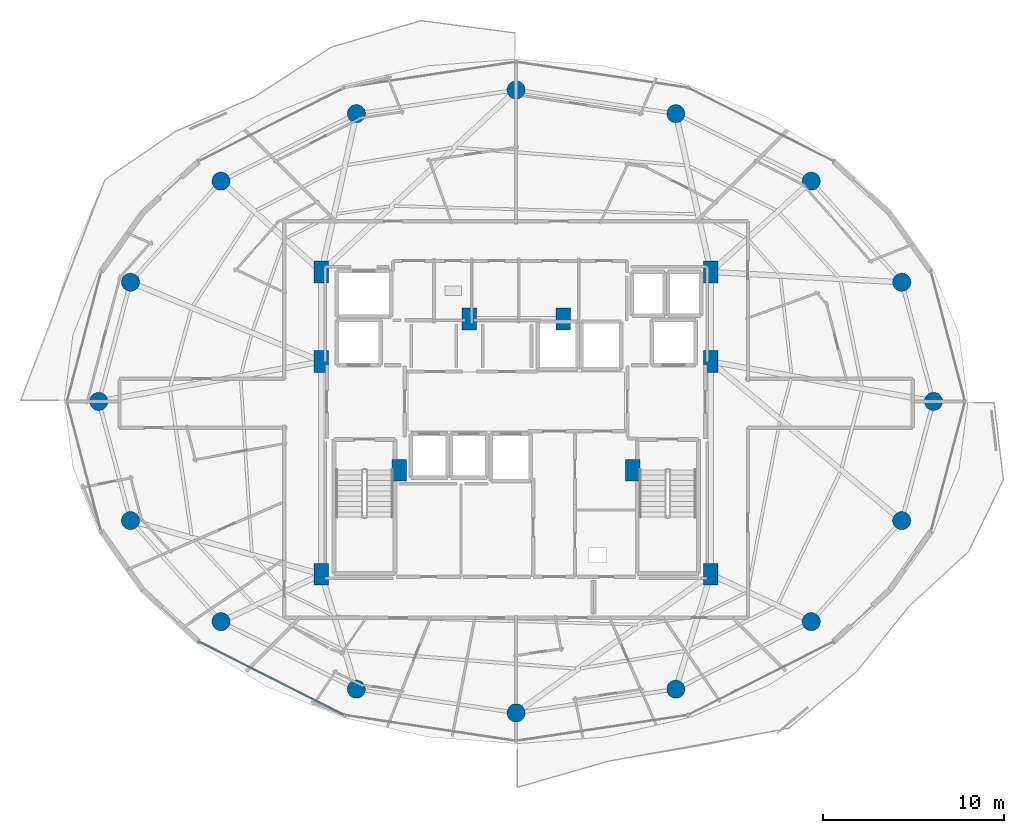
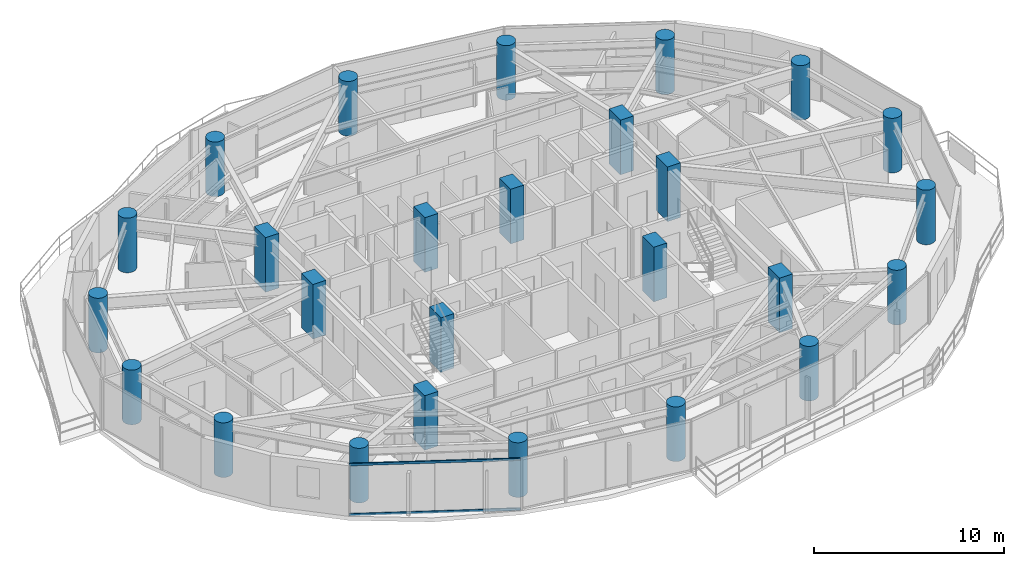
# One storey, part 1 of 31: 26 columns, 2 members, 1 element without a shape of its own.
"""IFC4 building model written with IfcOpenShell, lengths in metres."""

from ifc_helpers import new_model, si_unit, direction, frame, origin, origin_2d, place, context, subcontext, project, spatial, rectangle, hollow_rectangle, circle, extrude, material, material_profile, profile_set, type_object, element, aggregate, save


model = new_model("IFC4")

# Units and contexts
model_context = context("Model", 3, precision=1e-05, world=origin(), true_north=direction((0.0, 1.0)))
body_context = subcontext(model_context, "Body", "Model", "MODEL_VIEW")
ifc_project = project(units=[si_unit("LENGTHUNIT", "METRE"), si_unit("AREAUNIT", "SQUARE_METRE"), si_unit("VOLUMEUNIT", "CUBIC_METRE"), si_unit("PLANEANGLEUNIT", "RADIAN"), si_unit("MASSUNIT", "GRAM", prefix="KILO")], contexts=[model_context])

# Site, building, storey
site_placement = place(None, origin())
site = spatial("IfcSite", under=ifc_project, at=site_placement, CompositionType="ELEMENT")
building_placement = place(site_placement, origin())
building = spatial("IfcBuilding", under=site, at=building_placement, Name="Vorneva Point Tower", CompositionType="ELEMENT")
storey_placement = place(building_placement, frame((0.0, 0.0, 132.60009765625)))
storey = spatial("IfcBuildingStorey", under=building, at=storey_placement, Name="L35", CompositionType="ELEMENT", Elevation=132.60009765625)

# Columns
ifc_material_1 = material(Name="Concrete B60 (C50/60)", Category="concrete")
ifc_material_profile_1 = material_profile(ifc_material_1, circle(Radius=0.5, at=origin_2d()), Name="RC-CIRC 1000")
ifc_profile_set_1 = profile_set([ifc_material_profile_1], Name="Concrete B60 (C50/60)")
column_type_1 = type_object("IfcColumnType", Name="COL-RC1000C", PredefinedType="COLUMN", material=ifc_profile_set_1)
for number, where, z_axis, x_axis, name in (
    (1, (61.050048828125, 26.0, 0.0), (0.0, 0.0, 1.0), (1.0, 0.0, 0.0), "L35 Perimeter Column P01"),
    (2, (59.29541015625, 32.582275390625, 0.0), (0.0, 0.0, 1.0), (0.923879532511, 0.382683432365, 0.0), "L35 Perimeter Column P02"),
    (3, (54.298828125, 38.162109375, 0.0), (0.0, 0.0, 1.0), (0.707106781187, 0.707106781187, 0.0), "L35 Perimeter Column P03"),
    (4, (46.82080078125, 41.890625, 0.0), (0.0, 0.0, 1.0), (0.382683432365, 0.923879532511, 0.0), "L35 Perimeter Column P04"),
    (5, (38.0, 43.199951171875, 0.0), (0.0, 0.0, 1.0), (0.0, 1.0, 0.0), "L35 Perimeter Column P05"),
    (6, (29.17919921875, 41.890625, 0.0), (0.0, 0.0, 1.0), (-0.382683432365, 0.923879532511, 0.0), "L35 Perimeter Column P06"),
    (7, (21.701171875, 38.162109375, 0.0), (0.0, 0.0, 1.0), (-0.707106781187, 0.707106781187, 0.0), "L35 Perimeter Column P07"),
    (8, (16.70458984375, 32.582275390625, 0.0), (0.0, 0.0, 1.0), (-0.923879532511, 0.382683432365, 0.0), "L35 Perimeter Column P08"),
    (9, (14.949951171875, 26.0, 0.0), (0.0, 0.0, 1.0), (-1.0, 0.0, 0.0), "L35 Perimeter Column P09"),
    (10, (16.70458984375, 19.417724609375, 0.0), (0.0, 0.0, 1.0), (-0.923879532511, -0.382683432365, 0.0), "L35 Perimeter Column P10"),
    (11, (21.701171875, 13.837890625, 0.0), (0.0, 0.0, 1.0), (-0.707106781187, -0.707106781187, 0.0), "L35 Perimeter Column P11"),
    (12, (29.17919921875, 10.109375, 0.0), (0.0, 0.0, 1.0), (-0.382683432365, -0.923879532511, 0.0), "L35 Perimeter Column P12"),
    (13, (38.0, 8.800048828125, 0.0), (0.0, 0.0, 1.0), (0.0, -1.0, 0.0), "L35 Perimeter Column P13"),
    (14, (46.82080078125, 10.109375, 0.0), (0.0, 0.0, 1.0), (0.382683432365, -0.923879532511, 0.0), "L35 Perimeter Column P14"),
    (15, (54.298828125, 13.837890625, 0.0), (0.0, 0.0, 1.0), (0.707106781187, -0.707106781187, 0.0), "L35 Perimeter Column P15"),
    (16, (59.29541015625, 19.417724609375, 0.0), (0.0, 0.0, 1.0), (0.923879532511, -0.382683432365, 0.0), "L35 Perimeter Column P16"),
):
    element("IfcColumn", number, at=place(storey_placement, frame(where, z_axis=z_axis, x_axis=x_axis)), inside=storey, type_object=column_type_1, Name=name, PredefinedType="COLUMN", context=body_context, shape_type="SweptSolid", body=[
        extrude(circle(Radius=0.5, at=origin_2d()), origin(), (0.0, 0.0, 1.0), 3.5),
    ])
ifc_material_profile_2 = material_profile(ifc_material_1, rectangle(XDim=0.800048828125, YDim=1.199951171875, at=origin_2d()), Name="RC-PIL 1200x800")
ifc_profile_set_2 = profile_set([ifc_material_profile_2], Name="Concrete B60 (C50/60)")
column_type_2 = type_object("IfcColumnType", Name="PIL-RC1200x800", PredefinedType="PILASTER", material=ifc_profile_set_2)
for number, where, z_axis, x_axis, name in (
    (17, (27.25, 16.449951171875, 0.0), (0.0, 0.0, 1.0), (1.0, 0.0, 0.0), "L35 Core Pilaster CP1"),
    (18, (27.25, 28.199951171875, 0.0), (0.0, 0.0, 1.0), (1.0, 0.0, 0.0), "L35 Core Pilaster CP2"),
    (19, (27.25, 33.14990234375, 0.0), (0.0, 0.0, 1.0), (1.0, 0.0, 0.0), "L35 Core Pilaster CP3"),
    (20, (31.550048828125, 22.199951171875, 0.0), (0.0, 0.0, 1.0), (1.0, 0.0, 0.0), "L35 Core Pilaster CP4"),
    (21, (48.75, 33.14990234375, 0.0), (0.0, 0.0, 1.0), (1.0, 0.0, 0.0), "L35 Core Pilaster CP5"),
    (22, (48.75, 28.199951171875, 0.0), (0.0, 0.0, 1.0), (1.0, 0.0, 0.0), "L35 Core Pilaster CP6"),
    (23, (48.75, 16.449951171875, 0.0), (0.0, 0.0, 1.0), (1.0, 0.0, 0.0), "L35 Core Pilaster CP7"),
    (24, (44.449951171875, 22.199951171875, 0.0), (0.0, 0.0, 1.0), (1.0, 0.0, 0.0), "L35 Core Pilaster CP8"),
    (25, (35.39990234375, 30.550048828125, 0.0), (0.0, 0.0, 1.0), (1.0, 0.0, 0.0), "L35 Core Pilaster CP9"),
    (26, (40.60009765625, 30.550048828125, 0.0), (0.0, 0.0, 1.0), (1.0, 0.0, 0.0), "L35 Core Pilaster CP10"),
):
    element("IfcColumn", number, at=place(storey_placement, frame(where, z_axis=z_axis, x_axis=x_axis)), inside=storey, type_object=column_type_2, Name=name, PredefinedType="PILASTER", context=body_context, shape_type="SweptSolid", body=[
        extrude(rectangle(XDim=0.800048828125, YDim=1.199951171875, at=origin_2d()), origin(), (0.0, 0.0, 1.0), 3.5),
    ])

# Curtain wall, members
ifc_material_2 = material(Name="Pale anodised aluminium", Category="aluminium")
curtain_wall_type = type_object("IfcCurtainWallType", Name="CW-RES-SYS", PredefinedType="NOTDEFINED", material=ifc_material_2)
curtain_wall_placement = place(storey_placement, origin())
curtain_wall = element("IfcCurtainWall", 27, at=curtain_wall_placement, inside=storey, type_object=curtain_wall_type, Name="L35 Unitised Curtain Wall CW-L35-R04", PredefinedType="NOTDEFINED")
ifc_material_profile_3 = material_profile(ifc_material_2, hollow_rectangle(XDim=0.074951171875, YDim=0.14990234375, WallThickness=0.00390625, at=origin_2d()), Name="AL-TRN 150x75x4")
ifc_profile_set_3 = profile_set([ifc_material_profile_3], Name="Pale anodised aluminium")
member_type = type_object("IfcMemberType", Name="CW-TRN-150", PredefinedType="USERDEFINED", material=ifc_profile_set_3)
member_1_placement = place(storey_placement, frame((20.4638671875, 12.74169921875, 0.02001953125), z_axis=(0.892572392955, -0.450904117673, 0.0), x_axis=(0.450904117673, 0.892572392955, 0.0)))
member_1 = element("IfcMember", 28, at=member_1_placement, type_object=member_type, Name="CW-L35-R04 Transom 01.1", ObjectType="TRANSOM", PredefinedType="USERDEFINED", context=body_context, shape_type="SweptSolid", body=[
    extrude(hollow_rectangle(XDim=0.074951171875, YDim=0.14990234375, WallThickness=0.00390625, at=origin_2d()), origin(), (0.0, 0.0, 1.0), 9.013916015625),
])
member_2_placement = place(storey_placement, frame((20.4638671875, 12.74169921875, 3.219970703125), z_axis=(0.892572392955, -0.450904117673, 0.0), x_axis=(0.450904117673, 0.892572392955, 0.0)))
member_2 = element("IfcMember", 29, at=member_2_placement, type_object=member_type, Name="CW-L35-R04 Transom 01.2", ObjectType="TRANSOM", PredefinedType="USERDEFINED", context=body_context, shape_type="SweptSolid", body=[
    extrude(hollow_rectangle(XDim=0.074951171875, YDim=0.14990234375, WallThickness=0.00390625, at=origin_2d()), origin(), (0.0, 0.0, 1.0), 9.013916015625),
])
aggregate(curtain_wall, [member_1, member_2])

save(model, "model.ifc")
